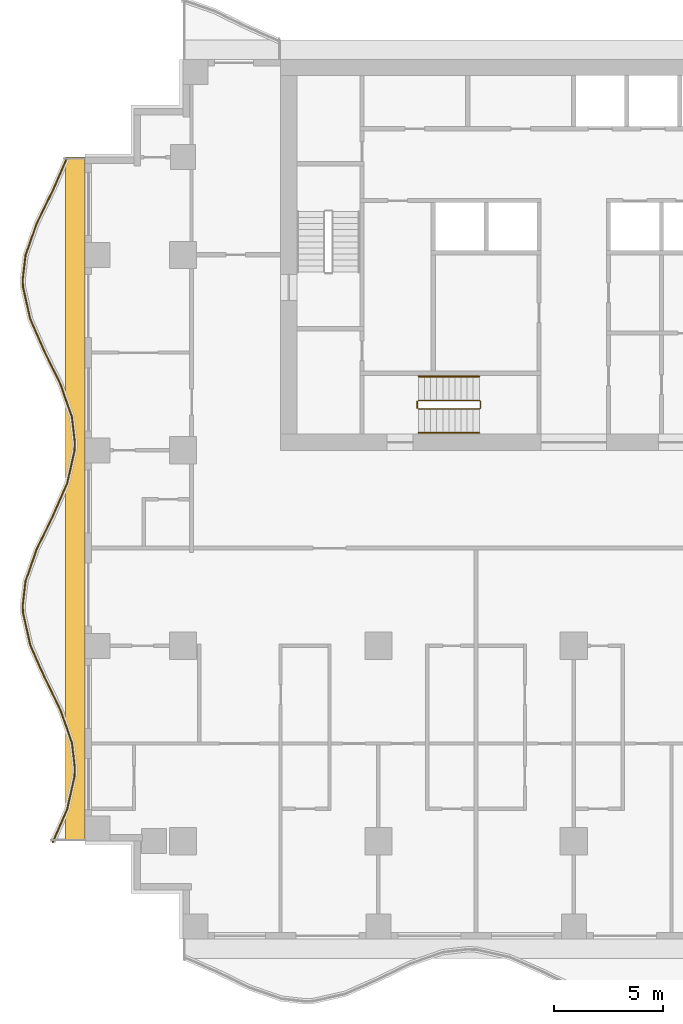
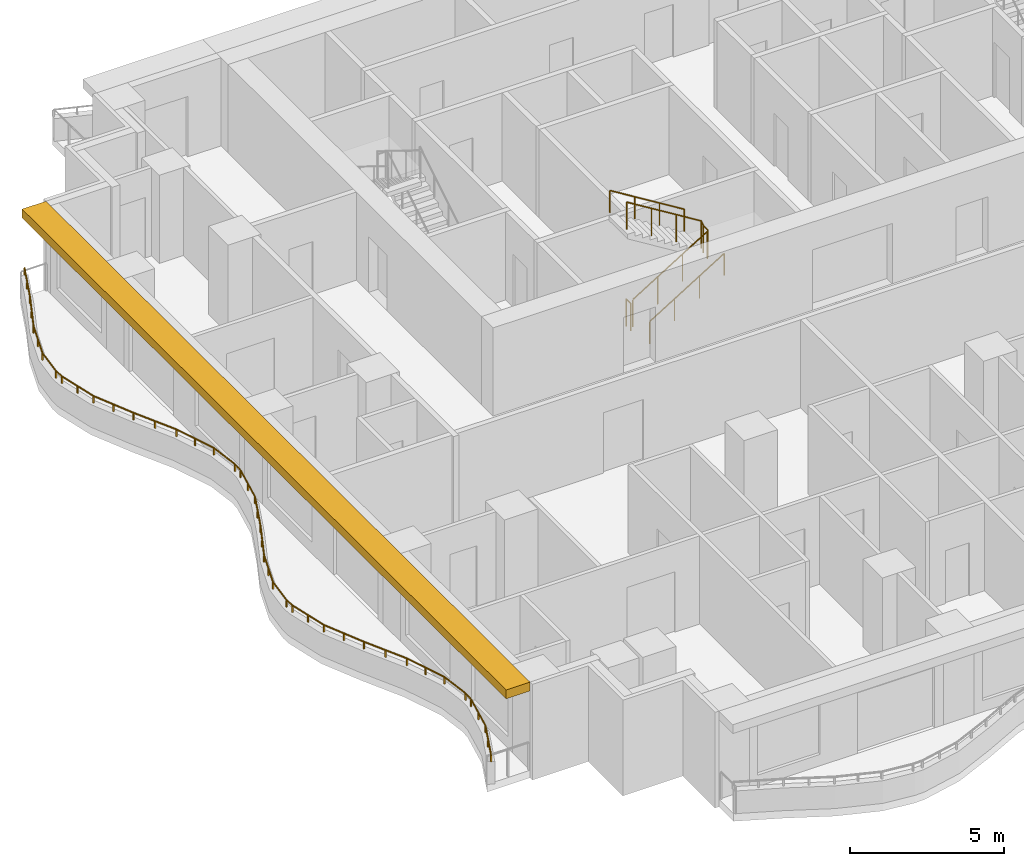
# One storey, part 8 of 10: 5 railings, 1 shading device.
"""IFC4 building model written with IfcOpenShell, lengths in metres."""

from ifc_helpers import new_model, si_unit, direction, frame, origin, origin_2d, place, context, subcontext, project, spatial, polyline, rectangle, circle, outline, extrude, material, layer, layer_set, type_object, element, save


model = new_model("IFC4")

# Units and contexts
model_context = context("Model", 3, precision=1e-05, world=origin(), true_north=direction((0.0, 1.0)))
body_context = subcontext(model_context, "Body", "Model", "MODEL_VIEW")
ifc_project = project(units=[si_unit("LENGTHUNIT", "METRE"), si_unit("AREAUNIT", "SQUARE_METRE"), si_unit("VOLUMEUNIT", "CUBIC_METRE"), si_unit("PLANEANGLEUNIT", "RADIAN"), si_unit("MASSUNIT", "GRAM", prefix="KILO")], contexts=[model_context])

# Site, building, storey
site_placement = place(None, origin())
site = spatial("IfcSite", under=ifc_project, at=site_placement, CompositionType="ELEMENT")
building_placement = place(site_placement, origin())
building = spatial("IfcBuilding", under=site, at=building_placement, Name="Orbiselva Terraces", CompositionType="ELEMENT")
storey_placement = place(building_placement, frame((0.0, 0.0, 140.2)))
storey = spatial("IfcBuildingStorey", under=building, at=storey_placement, Name="L35", CompositionType="ELEMENT", Elevation=140.2)

# Railings
ifc_material_1 = material(Name="Stainless steel", Category="steel")
railing_type_1 = type_object("IfcRailingType", Name="CORE-GUARD-1100", PredefinedType="GUARDRAIL", material=ifc_material_1)
railing_1_placement = place(storey_placement, frame((-7.15, 6.4, 0.172727)))
element("IfcRailing", 1, at=railing_1_placement, inside=storey, type_object=railing_type_1, Name="L35 S3 stair guard 1", PredefinedType="GUARDRAIL", context=body_context, shape_type="SweptSolid", body=[
    extrude(circle(Radius=0.024, at=origin_2d()), frame((0.0, 0.0, 1.081), z_axis=(0.851088519012, 0.0, 0.52502222125), x_axis=(0.0, 1.0, 0.0)), (0.0, 0.0, 1.0), 3.289905),
    extrude(circle(Radius=0.024, at=origin_2d()), frame((2.8, 0.0, 2.808273), z_axis=(0.707106781187, 0.707106781187, 0.0), x_axis=(-0.707106781187, 0.707106781187, 0.0)), (0.0, 0.0, 1.0), 0.070711),
    extrude(circle(Radius=0.024, at=origin_2d()), frame((2.85, 0.05, 2.808273), z_axis=(0.0, 1.0, 0.0), x_axis=(-1.0, 0.0, 0.0)), (0.0, 0.0, 1.0), 0.3),
    extrude(circle(Radius=0.024, at=origin_2d()), frame((2.85, 0.35, 2.808273), z_axis=(-0.267894925557, 0.267894925557, 0.925453736133), x_axis=(-0.707106781187, -0.707106781187, 0.0)), (0.0, 0.0, 1.0), 0.18664),
    extrude(circle(Radius=0.024, at=origin_2d()), frame((2.8, 0.4, 2.981), z_axis=(-0.851088519012, 0.0, 0.52502222125), x_axis=(0.0, -1.0, 0.0)), (0.0, 0.0, 1.0), 3.289905),
    extrude(circle(Radius=0.021, at=origin_2d()), origin(), (0.0, 0.0, 1.0), 1.057),
    extrude(circle(Radius=0.021, at=origin_2d()), frame((0.933333, 0.0, 0.575758)), (0.0, 0.0, 1.0), 1.057),
    extrude(circle(Radius=0.021, at=origin_2d()), frame((1.866667, 0.0, 1.151515)), (0.0, 0.0, 1.0), 1.057),
    extrude(circle(Radius=0.021, at=origin_2d()), frame((2.8, 0.0, 1.727273)), (0.0, 0.0, 1.0), 1.057),
    extrude(circle(Radius=0.021, at=origin_2d()), frame((2.85, 0.05, 1.727273)), (0.0, 0.0, 1.0), 1.057),
    extrude(circle(Radius=0.021, at=origin_2d()), frame((2.85, 0.35, 1.727273)), (0.0, 0.0, 1.0), 1.057),
    extrude(circle(Radius=0.021, at=origin_2d()), frame((2.8, 0.4, 1.9)), (0.0, 0.0, 1.0), 1.057),
    extrude(circle(Radius=0.021, at=origin_2d()), frame((1.866667, 0.4, 2.475758)), (0.0, 0.0, 1.0), 1.057),
    extrude(circle(Radius=0.021, at=origin_2d()), frame((0.933333, 0.4, 3.051515)), (0.0, 0.0, 1.0), 1.057),
    extrude(circle(Radius=0.021, at=origin_2d()), frame((0.0, 0.4, 3.627273)), (0.0, 0.0, 1.0), 1.057),
])
railing_2_placement = place(storey_placement, frame((-7.2, 6.45, 0.0)))
element("IfcRailing", 2, at=railing_2_placement, inside=storey, type_object=railing_type_1, Name="L35 S3 stair guard 2", PredefinedType="GUARDRAIL", context=body_context, shape_type="SweptSolid", body=[
    extrude(circle(Radius=0.024, at=origin_2d()), frame((0.0, 0.0, 1.081), z_axis=(0.0, 1.0, 0.0), x_axis=(-1.0, 0.0, 0.0)), (0.0, 0.0, 1.0), 0.3),
    extrude(circle(Radius=0.021, at=origin_2d()), origin(), (0.0, 0.0, 1.0), 1.057),
    extrude(circle(Radius=0.021, at=origin_2d()), frame((0.0, 0.3, 0.0)), (0.0, 0.0, 1.0), 1.057),
])
railing_type_2 = type_object("IfcRailingType", Name="CORE-HANDRAIL-900", PredefinedType="HANDRAIL", material=ifc_material_1)
railing_3_placement = place(storey_placement, frame((-7.15, 5.3, 0.172727)))
element("IfcRailing", 3, at=railing_3_placement, inside=storey, type_object=railing_type_2, Name="L35 S3 stair handrail 1", PredefinedType="HANDRAIL", context=body_context, shape_type="SweptSolid", body=[
    extrude(circle(Radius=0.024, at=origin_2d()), frame((0.0, 0.0, 0.876), z_axis=(0.851088519012, 0.0, 0.52502222125), x_axis=(0.0, 1.0, 0.0)), (0.0, 0.0, 1.0), 3.289905),
    extrude(circle(Radius=0.021, at=origin_2d()), origin(), (0.0, 0.0, 1.0), 0.852),
    extrude(circle(Radius=0.021, at=origin_2d()), frame((0.933333, 0.0, 0.575758)), (0.0, 0.0, 1.0), 0.852),
    extrude(circle(Radius=0.021, at=origin_2d()), frame((1.866667, 0.0, 1.151515)), (0.0, 0.0, 1.0), 0.852),
    extrude(circle(Radius=0.021, at=origin_2d()), frame((2.8, 0.0, 1.727273)), (0.0, 0.0, 1.0), 0.852),
])
railing_4_placement = place(storey_placement, frame((-4.35, 7.9, 2.072727)))
element("IfcRailing", 4, at=railing_4_placement, inside=storey, type_object=railing_type_2, Name="L35 S3 stair handrail 2", PredefinedType="HANDRAIL", context=body_context, shape_type="SweptSolid", body=[
    extrude(circle(Radius=0.024, at=origin_2d()), frame((0.0, 0.0, 0.876), z_axis=(-0.851088519012, 0.0, 0.52502222125), x_axis=(0.0, -1.0, 0.0)), (0.0, 0.0, 1.0), 3.289905),
    extrude(circle(Radius=0.021, at=origin_2d()), origin(), (0.0, 0.0, 1.0), 0.852),
    extrude(circle(Radius=0.021, at=origin_2d()), frame((-0.933333, 0.0, 0.575758)), (0.0, 0.0, 1.0), 0.852),
    extrude(circle(Radius=0.021, at=origin_2d()), frame((-1.866667, 0.0, 1.151515)), (0.0, 0.0, 1.0), 0.852),
    extrude(circle(Radius=0.021, at=origin_2d()), frame((-2.8, 0.0, 1.727273)), (0.0, 0.0, 1.0), 0.852),
])
ifc_material_2 = material(Name="Bonded two-ply safety glass balustrade, stainless steel posts", Category="steel")
railing_type_3 = type_object("IfcRailingType", Name="ENV-BALUSTRADE-1200", PredefinedType="BALUSTRADE", material=ifc_material_2)
railing_5_placement = place(storey_placement, frame((-23.33708, 17.949606, 0.9)))
element("IfcRailing", 5, at=railing_5_placement, inside=storey, type_object=railing_type_3, Name="Balcony balustrade L35 W", PredefinedType="BALUSTRADE", context=body_context, shape_type="SweptSolid", body=[
    extrude(outline(polyline([(0.028868, 0.0), (0.014434, 0.025), (-0.014434, 0.025), (-0.028868, 0.0), (-0.014434, -0.025), (0.014434, -0.025), (0.028868, 0.0)])), frame((0.0, 0.0, 0.275), z_axis=(-0.403151175476, -0.915133394491, 0.0), x_axis=(0.915133394491, -0.403151175476, 0.0)), (0.0, 0.0, 1.0), 1.641563),
    extrude(outline(polyline([(0.028868, 0.0), (0.014434, 0.025), (-0.014434, 0.025), (-0.028868, 0.0), (-0.014434, -0.025), (0.014434, -0.025), (0.028868, 0.0)])), frame((-0.661798, -1.502249, 0.275), z_axis=(-0.438811978768, -0.89857890432, 0.0), x_axis=(0.89857890432, -0.438811978768, 0.0)), (0.0, 0.0, 1.0), 1.66438),
    extrude(outline(polyline([(0.028868, 0.0), (0.014434, 0.025), (-0.014434, 0.025), (-0.028868, 0.0), (-0.014434, -0.025), (0.014434, -0.025), (0.028868, 0.0)])), frame((-1.392148, -2.997826, 0.275), z_axis=(-0.330024754707, -0.943972277814, 0.0), x_axis=(0.943972277814, -0.330024754707, 0.0)), (0.0, 0.0, 1.0), 1.567807),
    extrude(outline(polyline([(0.028868, 0.0), (0.014434, 0.025), (-0.014434, 0.025), (-0.028868, 0.0), (-0.014434, -0.025), (0.014434, -0.025), (0.028868, 0.0)])), frame((-1.909563, -4.477792, 0.275), z_axis=(-0.115481264762, -0.993309658409, 0.0), x_axis=(0.993309658409, -0.115481264762, 0.0)), (0.0, 0.0, 1.0), 1.10902),
    extrude(outline(polyline([(0.028868, 0.0), (0.014434, 0.025), (-0.014434, 0.025), (-0.028868, 0.0), (-0.014434, -0.025), (0.014434, -0.025), (0.028868, 0.0)])), frame((-2.037634, -5.579392, 0.275), z_axis=(0.039364150694, -0.999224931454, 0.0), x_axis=(0.999224931454, 0.039364150694, 0.0)), (0.0, 0.0, 1.0), 0.354206),
    extrude(outline(polyline([(0.028868, 0.0), (0.014434, 0.025), (-0.014434, 0.025), (-0.028868, 0.0), (-0.014434, -0.025), (0.014434, -0.025), (0.028868, 0.0)])), frame((-2.023691, -5.933323, 0.275), z_axis=(0.219015740235, -0.975721325753, 0.0), x_axis=(0.975721325753, 0.219015740235, 0.0)), (0.0, 0.0, 1.0), 1.513782),
    extrude(outline(polyline([(0.028868, 0.0), (0.014434, 0.025), (-0.014434, 0.025), (-0.028868, 0.0), (-0.014434, -0.025), (0.014434, -0.025), (0.028868, 0.0)])), frame((-1.692149, -7.410352, 0.275), z_axis=(0.403151245402, -0.915133363686, 0.0), x_axis=(0.915133363686, 0.403151245402, 0.0)), (0.0, 0.0, 1.0), 1.624475),
    extrude(outline(polyline([(0.028868, 0.0), (0.014434, 0.025), (-0.014434, 0.025), (-0.028868, 0.0), (-0.014434, -0.025), (0.014434, -0.025), (0.028868, 0.0)])), frame((-1.03724, -8.896963, 0.275), z_axis=(0.438812048596, -0.898578870221, 0.0), x_axis=(0.898578870221, 0.438812048596, 0.0)), (0.0, 0.0, 1.0), 1.674225),
    extrude(outline(polyline([(0.028868, 0.0), (0.014434, 0.025), (-0.014434, 0.025), (-0.028868, 0.0), (-0.014434, -0.025), (0.014434, -0.025), (0.028868, 0.0)])), frame((-0.30257, -10.401386, 0.275), z_axis=(0.330024597479, -0.943972332783, 0.0), x_axis=(0.943972332783, 0.330024597479, 0.0)), (0.0, 0.0, 1.0), 1.610253),
    extrude(outline(polyline([(0.028868, 0.0), (0.014434, 0.025), (-0.014434, 0.025), (-0.028868, 0.0), (-0.014434, -0.025), (0.014434, -0.025), (0.028868, 0.0)])), frame((0.228853, -11.92142, 0.275), z_axis=(0.115482182324, -0.993309551734, 0.0), x_axis=(0.993309551734, 0.115482182324, 0.0)), (0.0, 0.0, 1.0), 1.156135),
    extrude(outline(polyline([(0.028868, 0.0), (0.014434, 0.025), (-0.014434, 0.025), (-0.028868, 0.0), (-0.014434, -0.025), (0.014434, -0.025), (0.028868, 0.0)])), frame((0.362366, -13.06982, 0.275), z_axis=(-0.03936915532, -0.999224734286, 0.0), x_axis=(0.999224734286, -0.03936915532, 0.0)), (0.0, 0.0, 1.0), 0.396376),
    extrude(outline(polyline([(0.028868, 0.0), (0.014434, 0.025), (-0.014434, 0.025), (-0.028868, 0.0), (-0.014434, -0.025), (0.014434, -0.025), (0.028868, 0.0)])), frame((0.346761, -13.465889, 0.275), z_axis=(-0.219015500924, -0.97572137947, 0.0), x_axis=(0.97572137947, -0.219015500924, 0.0)), (0.0, 0.0, 1.0), 1.560867),
    extrude(outline(polyline([(0.028868, 0.0), (0.014434, 0.025), (-0.014434, 0.025), (-0.028868, 0.0), (-0.014434, -0.025), (0.014434, -0.025), (0.028868, 0.0)])), frame((0.004907, -14.98886, 0.275), z_axis=(-0.403150874148, -0.915133527237, 0.0), x_axis=(0.915133527237, -0.403150874148, 0.0)), (0.0, 0.0, 1.0), 1.653736),
    extrude(outline(polyline([(0.028868, 0.0), (0.014434, 0.025), (-0.014434, 0.025), (-0.028868, 0.0), (-0.014434, -0.025), (0.014434, -0.025), (0.028868, 0.0)])), frame((-0.661798, -16.502249, 0.275), z_axis=(-0.438811978768, -0.89857890432, 0.0), x_axis=(0.89857890432, -0.438811978768, 0.0)), (0.0, 0.0, 1.0), 1.66438),
    extrude(outline(polyline([(0.028868, 0.0), (0.014434, 0.025), (-0.014434, 0.025), (-0.028868, 0.0), (-0.014434, -0.025), (0.014434, -0.025), (0.028868, 0.0)])), frame((-1.392148, -17.997826, 0.275), z_axis=(-0.330024754707, -0.943972277814, 0.0), x_axis=(0.943972277814, -0.330024754707, 0.0)), (0.0, 0.0, 1.0), 1.567807),
    extrude(outline(polyline([(0.028868, 0.0), (0.014434, 0.025), (-0.014434, 0.025), (-0.028868, 0.0), (-0.014434, -0.025), (0.014434, -0.025), (0.028868, 0.0)])), frame((-1.909563, -19.477792, 0.275), z_axis=(-0.115481264762, -0.993309658409, 0.0), x_axis=(0.993309658409, -0.115481264762, 0.0)), (0.0, 0.0, 1.0), 1.10902),
    extrude(outline(polyline([(0.028868, 0.0), (0.014434, 0.025), (-0.014434, 0.025), (-0.028868, 0.0), (-0.014434, -0.025), (0.014434, -0.025), (0.028868, 0.0)])), frame((-2.037634, -20.579392, 0.275), z_axis=(0.039364150694, -0.999224931454, 0.0), x_axis=(0.999224931454, 0.039364150694, 0.0)), (0.0, 0.0, 1.0), 0.354206),
    extrude(outline(polyline([(0.028868, 0.0), (0.014434, 0.025), (-0.014434, 0.025), (-0.028868, 0.0), (-0.014434, -0.025), (0.014434, -0.025), (0.028868, 0.0)])), frame((-2.023691, -20.933323, 0.275), z_axis=(0.219015740235, -0.975721325753, 0.0), x_axis=(0.975721325753, 0.219015740235, 0.0)), (0.0, 0.0, 1.0), 1.513782),
    extrude(outline(polyline([(0.028868, 0.0), (0.014434, 0.025), (-0.014434, 0.025), (-0.028868, 0.0), (-0.014434, -0.025), (0.014434, -0.025), (0.028868, 0.0)])), frame((-1.692149, -22.410352, 0.275), z_axis=(0.403151245402, -0.915133363686, 0.0), x_axis=(0.915133363686, 0.403151245402, 0.0)), (0.0, 0.0, 1.0), 1.624475),
    extrude(outline(polyline([(0.028868, 0.0), (0.014434, 0.025), (-0.014434, 0.025), (-0.028868, 0.0), (-0.014434, -0.025), (0.014434, -0.025), (0.028868, 0.0)])), frame((-1.03724, -23.896963, 0.275), z_axis=(0.438812048596, -0.898578870221, 0.0), x_axis=(0.898578870221, 0.438812048596, 0.0)), (0.0, 0.0, 1.0), 1.674225),
    extrude(outline(polyline([(0.028868, 0.0), (0.014434, 0.025), (-0.014434, 0.025), (-0.028868, 0.0), (-0.014434, -0.025), (0.014434, -0.025), (0.028868, 0.0)])), frame((-0.30257, -25.401386, 0.275), z_axis=(0.330024597479, -0.943972332783, 0.0), x_axis=(0.943972332783, 0.330024597479, 0.0)), (0.0, 0.0, 1.0), 1.610253),
    extrude(outline(polyline([(0.028868, 0.0), (0.014434, 0.025), (-0.014434, 0.025), (-0.028868, 0.0), (-0.014434, -0.025), (0.014434, -0.025), (0.028868, 0.0)])), frame((0.228853, -26.92142, 0.275), z_axis=(0.115482182324, -0.993309551734, 0.0), x_axis=(0.993309551734, 0.115482182324, 0.0)), (0.0, 0.0, 1.0), 1.156135),
    extrude(outline(polyline([(0.028868, 0.0), (0.014434, 0.025), (-0.014434, 0.025), (-0.028868, 0.0), (-0.014434, -0.025), (0.014434, -0.025), (0.028868, 0.0)])), frame((0.362366, -28.06982, 0.275), z_axis=(-0.03936915532, -0.999224734286, 0.0), x_axis=(0.999224734286, -0.03936915532, 0.0)), (0.0, 0.0, 1.0), 0.396376),
    extrude(outline(polyline([(0.028868, 0.0), (0.014434, 0.025), (-0.014434, 0.025), (-0.028868, 0.0), (-0.014434, -0.025), (0.014434, -0.025), (0.028868, 0.0)])), frame((0.346761, -28.465889, 0.275), z_axis=(-0.219015500924, -0.97572137947, 0.0), x_axis=(0.97572137947, -0.219015500924, 0.0)), (0.0, 0.0, 1.0), 1.560867),
    extrude(outline(polyline([(0.028868, 0.0), (0.014434, 0.025), (-0.014434, 0.025), (-0.028868, 0.0), (-0.014434, -0.025), (0.014434, -0.025), (0.028868, 0.0)])), frame((0.004907, -29.98886, 0.275), z_axis=(-0.403150757208, -0.915133578754, 0.0), x_axis=(0.915133578754, -0.403150757208, 0.0)), (0.0, 0.0, 1.0), 1.651278),
    extrude(rectangle(XDim=0.05, YDim=0.05, at=origin_2d()), origin(), (0.0, 0.0, 1.0), 0.25),
    extrude(rectangle(XDim=0.05, YDim=0.05, at=origin_2d()), frame((-0.330899, -0.751124, 0.0)), (0.0, 0.0, 1.0), 0.25),
    extrude(rectangle(XDim=0.05, YDim=0.05, at=origin_2d()), frame((-0.661798, -1.502249, 0.0)), (0.0, 0.0, 1.0), 0.25),
    extrude(rectangle(XDim=0.05, YDim=0.05, at=origin_2d()), frame((-1.026973, -2.250037, 0.0)), (0.0, 0.0, 1.0), 0.25),
    extrude(rectangle(XDim=0.05, YDim=0.05, at=origin_2d()), frame((-1.392148, -2.997826, 0.0)), (0.0, 0.0, 1.0), 0.25),
    extrude(rectangle(XDim=0.05, YDim=0.05, at=origin_2d()), frame((-1.650855, -3.737809, 0.0)), (0.0, 0.0, 1.0), 0.25),
    extrude(rectangle(XDim=0.05, YDim=0.05, at=origin_2d()), frame((-1.909563, -4.477792, 0.0)), (0.0, 0.0, 1.0), 0.25),
    extrude(rectangle(XDim=0.05, YDim=0.05, at=origin_2d()), frame((-2.037634, -5.579392, 0.0)), (0.0, 0.0, 1.0), 0.25),
    extrude(rectangle(XDim=0.05, YDim=0.05, at=origin_2d()), frame((-2.023691, -5.933323, 0.0)), (0.0, 0.0, 1.0), 0.25),
    extrude(rectangle(XDim=0.05, YDim=0.05, at=origin_2d()), frame((-1.85792, -6.671838, 0.0)), (0.0, 0.0, 1.0), 0.25),
    extrude(rectangle(XDim=0.05, YDim=0.05, at=origin_2d()), frame((-1.692149, -7.410352, 0.0)), (0.0, 0.0, 1.0), 0.25),
    extrude(rectangle(XDim=0.05, YDim=0.05, at=origin_2d()), frame((-1.364695, -8.153658, 0.0)), (0.0, 0.0, 1.0), 0.25),
    extrude(rectangle(XDim=0.05, YDim=0.05, at=origin_2d()), frame((-1.03724, -8.896963, 0.0)), (0.0, 0.0, 1.0), 0.25),
    extrude(rectangle(XDim=0.05, YDim=0.05, at=origin_2d()), frame((-0.669905, -9.649174, 0.0)), (0.0, 0.0, 1.0), 0.25),
    extrude(rectangle(XDim=0.05, YDim=0.05, at=origin_2d()), frame((-0.30257, -10.401386, 0.0)), (0.0, 0.0, 1.0), 0.25),
    extrude(rectangle(XDim=0.05, YDim=0.05, at=origin_2d()), frame((-0.036858, -11.161403, 0.0)), (0.0, 0.0, 1.0), 0.25),
    extrude(rectangle(XDim=0.05, YDim=0.05, at=origin_2d()), frame((0.228853, -11.92142, 0.0)), (0.0, 0.0, 1.0), 0.25),
    extrude(rectangle(XDim=0.05, YDim=0.05, at=origin_2d()), frame((0.362366, -13.06982, 0.0)), (0.0, 0.0, 1.0), 0.25),
    extrude(rectangle(XDim=0.05, YDim=0.05, at=origin_2d()), frame((0.346761, -13.465889, 0.0)), (0.0, 0.0, 1.0), 0.25),
    extrude(rectangle(XDim=0.05, YDim=0.05, at=origin_2d()), frame((0.175834, -14.227374, 0.0)), (0.0, 0.0, 1.0), 0.25),
    extrude(rectangle(XDim=0.05, YDim=0.05, at=origin_2d()), frame((0.004907, -14.98886, 0.0)), (0.0, 0.0, 1.0), 0.25),
    extrude(rectangle(XDim=0.05, YDim=0.05, at=origin_2d()), frame((-0.328446, -15.745554, 0.0)), (0.0, 0.0, 1.0), 0.25),
    extrude(rectangle(XDim=0.05, YDim=0.05, at=origin_2d()), frame((-0.661798, -16.502249, 0.0)), (0.0, 0.0, 1.0), 0.25),
    extrude(rectangle(XDim=0.05, YDim=0.05, at=origin_2d()), frame((-1.026973, -17.250037, 0.0)), (0.0, 0.0, 1.0), 0.25),
    extrude(rectangle(XDim=0.05, YDim=0.05, at=origin_2d()), frame((-1.392148, -17.997826, 0.0)), (0.0, 0.0, 1.0), 0.25),
    extrude(rectangle(XDim=0.05, YDim=0.05, at=origin_2d()), frame((-1.650855, -18.737809, 0.0)), (0.0, 0.0, 1.0), 0.25),
    extrude(rectangle(XDim=0.05, YDim=0.05, at=origin_2d()), frame((-1.909563, -19.477792, 0.0)), (0.0, 0.0, 1.0), 0.25),
    extrude(rectangle(XDim=0.05, YDim=0.05, at=origin_2d()), frame((-2.037634, -20.579392, 0.0)), (0.0, 0.0, 1.0), 0.25),
    extrude(rectangle(XDim=0.05, YDim=0.05, at=origin_2d()), frame((-2.023691, -20.933323, 0.0)), (0.0, 0.0, 1.0), 0.25),
    extrude(rectangle(XDim=0.05, YDim=0.05, at=origin_2d()), frame((-1.85792, -21.671838, 0.0)), (0.0, 0.0, 1.0), 0.25),
    extrude(rectangle(XDim=0.05, YDim=0.05, at=origin_2d()), frame((-1.692149, -22.410352, 0.0)), (0.0, 0.0, 1.0), 0.25),
    extrude(rectangle(XDim=0.05, YDim=0.05, at=origin_2d()), frame((-1.364695, -23.153658, 0.0)), (0.0, 0.0, 1.0), 0.25),
    extrude(rectangle(XDim=0.05, YDim=0.05, at=origin_2d()), frame((-1.03724, -23.896963, 0.0)), (0.0, 0.0, 1.0), 0.25),
    extrude(rectangle(XDim=0.05, YDim=0.05, at=origin_2d()), frame((-0.669905, -24.649174, 0.0)), (0.0, 0.0, 1.0), 0.25),
    extrude(rectangle(XDim=0.05, YDim=0.05, at=origin_2d()), frame((-0.30257, -25.401386, 0.0)), (0.0, 0.0, 1.0), 0.25),
    extrude(rectangle(XDim=0.05, YDim=0.05, at=origin_2d()), frame((-0.036858, -26.161403, 0.0)), (0.0, 0.0, 1.0), 0.25),
    extrude(rectangle(XDim=0.05, YDim=0.05, at=origin_2d()), frame((0.228853, -26.92142, 0.0)), (0.0, 0.0, 1.0), 0.25),
    extrude(rectangle(XDim=0.05, YDim=0.05, at=origin_2d()), frame((0.362366, -28.06982, 0.0)), (0.0, 0.0, 1.0), 0.25),
    extrude(rectangle(XDim=0.05, YDim=0.05, at=origin_2d()), frame((0.346761, -28.465889, 0.0)), (0.0, 0.0, 1.0), 0.25),
    extrude(rectangle(XDim=0.05, YDim=0.05, at=origin_2d()), frame((0.175834, -29.227374, 0.0)), (0.0, 0.0, 1.0), 0.25),
    extrude(rectangle(XDim=0.05, YDim=0.05, at=origin_2d()), frame((0.004907, -29.98886, 0.0)), (0.0, 0.0, 1.0), 0.25),
    extrude(rectangle(XDim=0.05, YDim=0.05, at=origin_2d()), frame((-0.32795, -30.74443, 0.0)), (0.0, 0.0, 1.0), 0.25),
    extrude(rectangle(XDim=0.05, YDim=0.05, at=origin_2d()), frame((-0.660807, -31.5, 0.0)), (0.0, 0.0, 1.0), 0.25),
])

# Shading device
ifc_material_3 = material(Name="Terracotta baguette sunshade", Category="masonry")
ifc_layer = layer(ifc_material_3, 0.35)
ifc_layer_set = layer_set([ifc_layer], Name="Terracotta baguette sunshade")
shading_device_type = type_object("IfcShadingDeviceType", Name="ENV-SUNSHADE-900x350", PredefinedType="USERDEFINED", material=ifc_layer_set)
shading_device_placement = place(storey_placement, frame((0.0, 0.0, 3.15)))
element("IfcShadingDevice", 6, at=shading_device_placement, inside=storey, type_object=shading_device_type, Name="Sunshade band L35 W", ObjectType="SUNSHADE", PredefinedType="USERDEFINED", context=body_context, shape_type="SweptSolid", body=[
    extrude(outline(polyline([(-23.4, 18.0), (-23.4, -13.5), (-22.5, -13.5), (-22.5, 18.0), (-23.4, 18.0)])), origin(), (0.0, 0.0, 1.0), 0.35),
])

save(model, "model.ifc")
